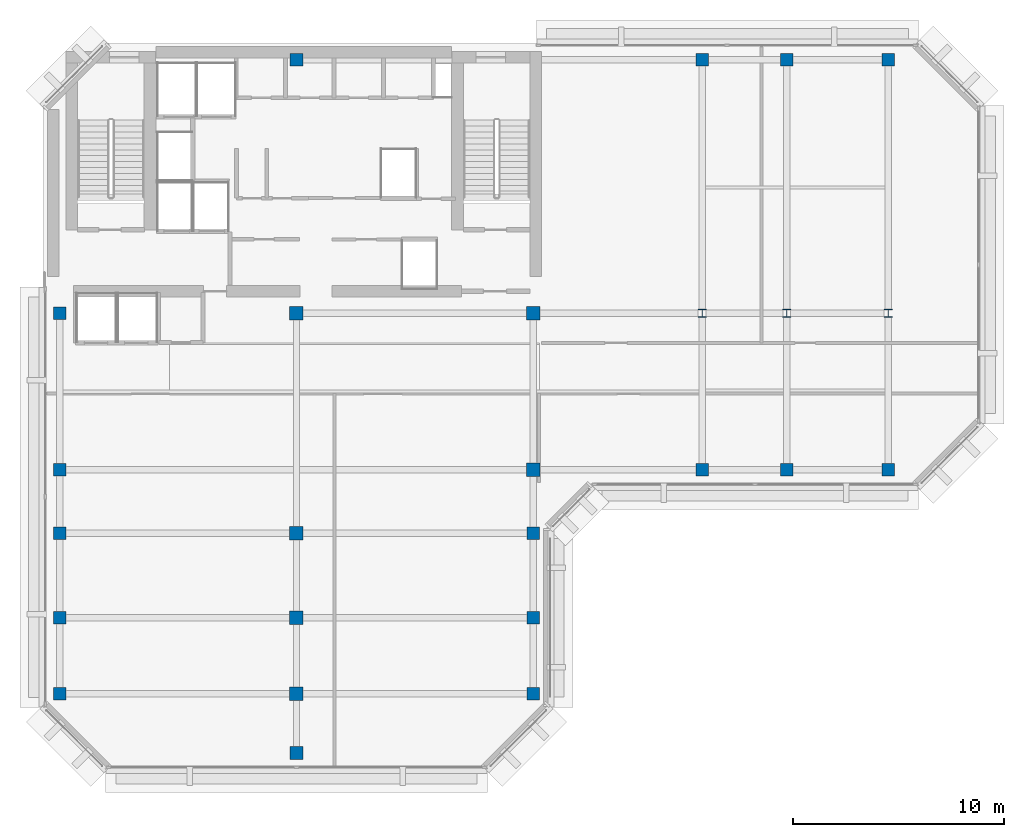
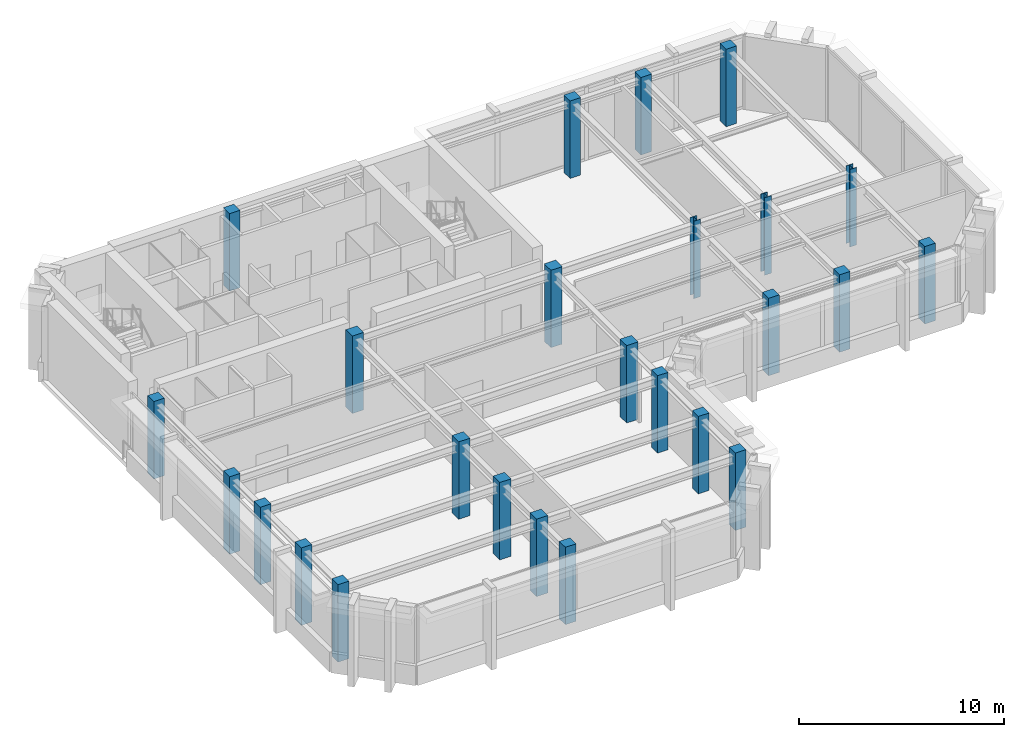
# One storey, part 1 of 9: 25 columns.
"""IFC4 building model written with IfcOpenShell, lengths in metres."""

from ifc_helpers import new_model, si_unit, direction, frame, origin, origin_2d, place, context, subcontext, project, spatial, rectangle, i_section, extrude, material, material_profile, profile_set, type_object, element, save


model = new_model("IFC4")

# Units and contexts
model_context = context("Model", 3, precision=1e-05, world=origin(), true_north=direction((0.0, 1.0)))
body_context = subcontext(model_context, "Body", "Model", "MODEL_VIEW")
ifc_project = project(units=[si_unit("LENGTHUNIT", "METRE"), si_unit("AREAUNIT", "SQUARE_METRE"), si_unit("VOLUMEUNIT", "CUBIC_METRE"), si_unit("PLANEANGLEUNIT", "RADIAN"), si_unit("MASSUNIT", "GRAM", prefix="KILO")], contexts=[model_context])

# Site, building, storey
site_placement = place(None, origin())
site = spatial("IfcSite", under=ifc_project, at=site_placement, CompositionType="ELEMENT")
building_placement = place(site_placement, origin())
building = spatial("IfcBuilding", under=site, at=building_placement, Name="Kefirva Bronze Tower", CompositionType="ELEMENT")
storey_placement = place(building_placement, frame((0.0, 0.0, 352.110107421875)))
storey = spatial("IfcBuildingStorey", under=building, at=storey_placement, Name="L86", CompositionType="ELEMENT", Elevation=352.110107421875)

# Columns
ifc_material_1 = material(Name="Concrete C50/60", Category="concrete")
ifc_material_profile_1 = material_profile(ifc_material_1, rectangle(XDim=0.60009765625, YDim=0.60009765625, at=origin_2d()), Name="RC 600x600")
ifc_profile_set_1 = profile_set([ifc_material_profile_1], Name="Concrete C50/60")
column_type_1 = type_object("IfcColumnType", Name="RC Column 600x600 Ext", PredefinedType="COLUMN", material=ifc_profile_set_1)
for number, where, z_axis, x_axis, name in (
    (1, (0.800048828125, 15.199951171875, 0.0), (0.0, 0.0, 1.0), (1.0, 0.0, 0.0), "L86 Column C008_152"),
    (2, (0.800048828125, 18.800048828125, 0.0), (0.0, 0.0, 1.0), (1.0, 0.0, 0.0), "L86 Column C008_188"),
    (3, (0.800048828125, 22.800048828125, 0.0), (0.0, 0.0, 1.0), (1.0, 0.0, 0.0), "L86 Column C008_228"),
    (4, (0.800048828125, 25.800048828125, 0.0), (0.0, 0.0, 1.0), (1.0, 0.0, 0.0), "L86 Column C008_258"),
    (5, (0.800048828125, 33.199951171875, 0.0), (0.0, 0.0, 1.0), (1.0, 0.0, 0.0), "L86 Column C008_332"),
    (6, (12.0, 12.39990234375, 0.0), (0.0, 0.0, 1.0), (1.0, 0.0, 0.0), "L86 Column C120_124"),
    (7, (12.0, 45.199951171875, 0.0), (0.0, 0.0, 1.0), (1.0, 0.0, 0.0), "L86 Column C120_452"),
    (8, (23.199951171875, 15.199951171875, 0.0), (0.0, 0.0, 1.0), (1.0, 0.0, 0.0), "L86 Column C232_152"),
    (9, (23.199951171875, 18.800048828125, 0.0), (0.0, 0.0, 1.0), (1.0, 0.0, 0.0), "L86 Column C232_188"),
    (10, (23.199951171875, 22.800048828125, 0.0), (0.0, 0.0, 1.0), (1.0, 0.0, 0.0), "L86 Column C232_228"),
    (11, (31.199951171875, 25.800048828125, 0.0), (0.0, 0.0, 1.0), (1.0, 0.0, 0.0), "L86 Column C312_258"),
    (12, (31.199951171875, 45.199951171875, 0.0), (0.0, 0.0, 1.0), (1.0, 0.0, 0.0), "L86 Column C312_452"),
    (13, (35.199951171875, 25.800048828125, 0.0), (0.0, 0.0, 1.0), (1.0, 0.0, 0.0), "L86 Column C352_258"),
    (14, (35.199951171875, 45.199951171875, 0.0), (0.0, 0.0, 1.0), (1.0, 0.0, 0.0), "L86 Column C352_452"),
    (15, (40.0, 25.800048828125, 0.0), (0.0, 0.0, 1.0), (1.0, 0.0, 0.0), "L86 Column C400_258"),
    (16, (40.0, 45.199951171875, 0.0), (0.0, 0.0, 1.0), (1.0, 0.0, 0.0), "L86 Column C400_452"),
):
    element("IfcColumn", number, at=place(storey_placement, frame(where, z_axis=z_axis, x_axis=x_axis)), inside=storey, type_object=column_type_1, Name=name, PredefinedType="COLUMN", context=body_context, shape_type="SweptSolid", body=[
        extrude(rectangle(XDim=0.60009765625, YDim=0.60009765625, at=origin_2d()), origin(), (0.0, 0.0, 1.0), 4.619873046875),
    ])
ifc_material_profile_2 = material_profile(ifc_material_1, rectangle(XDim=0.639892578125, YDim=0.639892578125, at=origin_2d()), Name="RC 640x640")
ifc_profile_set_2 = profile_set([ifc_material_profile_2], Name="Concrete C50/60")
column_type_2 = type_object("IfcColumnType", Name="RC Column 640x640 Int", PredefinedType="COLUMN", material=ifc_profile_set_2)
for number, where, z_axis, x_axis, name in (
    (17, (12.0, 15.199951171875, 0.0), (0.0, 0.0, 1.0), (1.0, 0.0, 0.0), "L86 Column C120_152"),
    (18, (12.0, 18.800048828125, 0.0), (0.0, 0.0, 1.0), (1.0, 0.0, 0.0), "L86 Column C120_188"),
    (19, (12.0, 22.800048828125, 0.0), (0.0, 0.0, 1.0), (1.0, 0.0, 0.0), "L86 Column C120_228"),
    (20, (12.0, 33.199951171875, 0.0), (0.0, 0.0, 1.0), (1.0, 0.0, 0.0), "L86 Column C120_332"),
    (21, (23.199951171875, 25.800048828125, 0.0), (0.0, 0.0, 1.0), (1.0, 0.0, 0.0), "L86 Column C232_258"),
    (22, (23.199951171875, 33.199951171875, 0.0), (0.0, 0.0, 1.0), (1.0, 0.0, 0.0), "L86 Column C232_332"),
):
    element("IfcColumn", number, at=place(storey_placement, frame(where, z_axis=z_axis, x_axis=x_axis)), inside=storey, type_object=column_type_2, Name=name, PredefinedType="COLUMN", context=body_context, shape_type="SweptSolid", body=[
        extrude(rectangle(XDim=0.639892578125, YDim=0.639892578125, at=origin_2d()), origin(), (0.0, 0.0, 1.0), 4.619873046875),
    ])
ifc_material_2 = material(Name="Steel S460", Category="steel")
ifc_material_profile_3 = material_profile(ifc_material_2, i_section(OverallWidth=0.376953125, OverallDepth=0.386962890625, WebThickness=0.01611328125, FlangeThickness=0.027099609375, at=origin_2d()), Name="HD 360x262")
ifc_profile_set_3 = profile_set([ifc_material_profile_3], Name="Steel S460")
column_type_3 = type_object("IfcColumnType", Name="Steel Column HD 360x262", PredefinedType="COLUMN", material=ifc_profile_set_3)
for number, where, z_axis, x_axis, name in (
    (23, (31.199951171875, 33.199951171875, 0.0), (0.0, 0.0, 1.0), (1.0, 0.0, 0.0), "L86 Column C312_332"),
    (24, (35.199951171875, 33.199951171875, 0.0), (0.0, 0.0, 1.0), (1.0, 0.0, 0.0), "L86 Column C352_332"),
    (25, (40.0, 33.199951171875, 0.0), (0.0, 0.0, 1.0), (1.0, 0.0, 0.0), "L86 Column C400_332"),
):
    element("IfcColumn", number, at=place(storey_placement, frame(where, z_axis=z_axis, x_axis=x_axis)), inside=storey, type_object=column_type_3, Name=name, PredefinedType="COLUMN", context=body_context, shape_type="SweptSolid", body=[
        extrude(i_section(OverallWidth=0.376953125, OverallDepth=0.386962890625, WebThickness=0.01611328125, FlangeThickness=0.027099609375, at=origin_2d()), origin(), (0.0, 0.0, 1.0), 4.619873046875),
    ])

save(model, "model.ifc")
